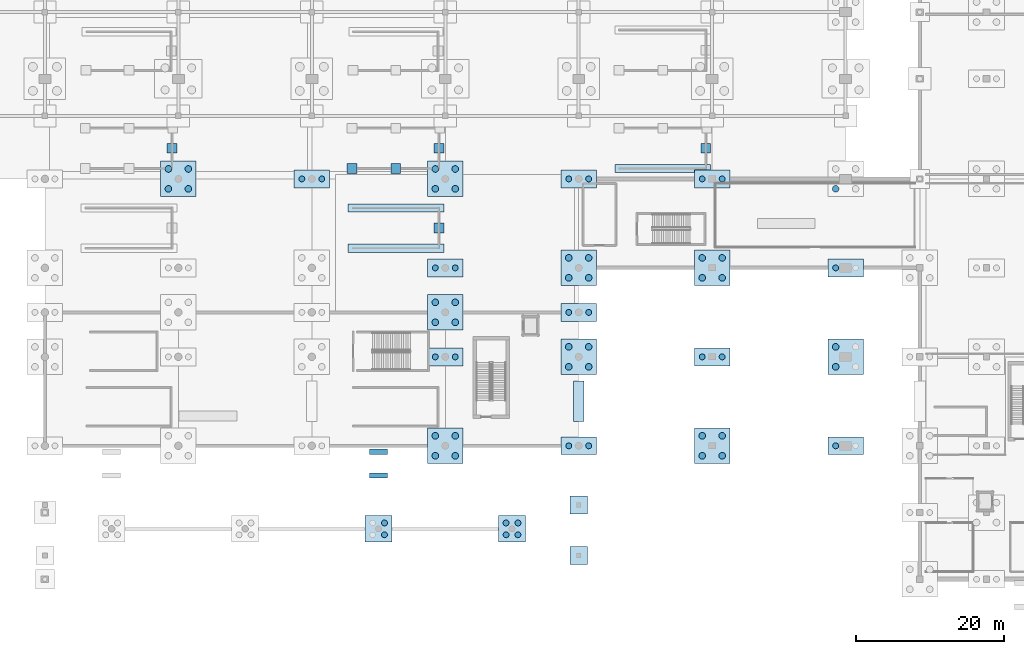
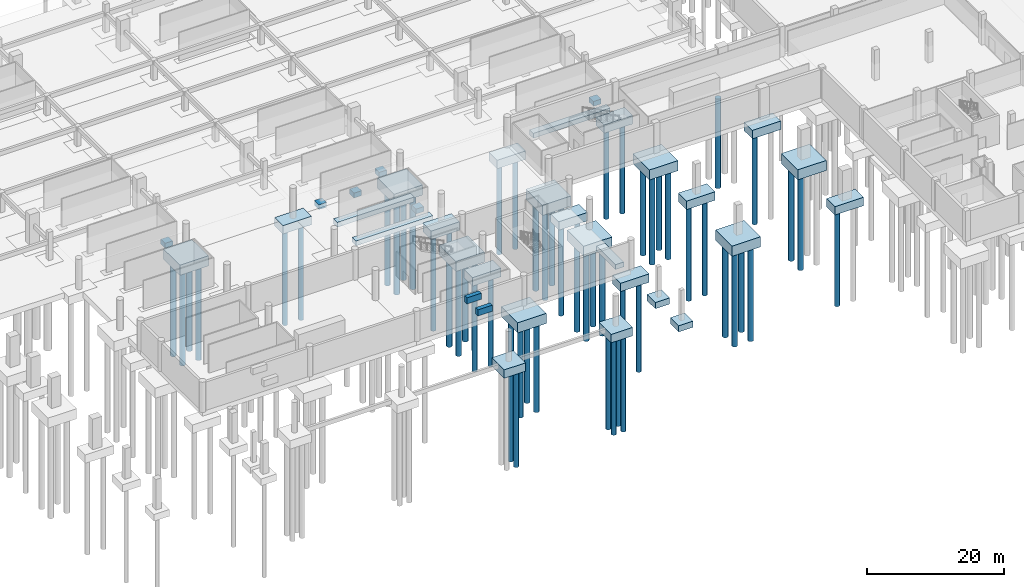
# One storey, part 2 of 26: 59 piles, 35 footings.
"""IFC4 building model written with IfcOpenShell, lengths in metres."""

from ifc_helpers import new_model, si_unit, direction, frame, origin, origin_2d, place, context, subcontext, project, spatial, polyline, circle, outline, extrude, material, material_profile, profile_set, type_object, element, save


model = new_model("IFC4")

# Units and contexts
model_context = context("Model", 3, precision=1e-05, world=origin(), true_north=direction((0.0, 1.0)))
body_context = subcontext(model_context, "Body", "Model", "MODEL_VIEW")
ifc_project = project(units=[si_unit("LENGTHUNIT", "METRE"), si_unit("AREAUNIT", "SQUARE_METRE"), si_unit("VOLUMEUNIT", "CUBIC_METRE"), si_unit("PLANEANGLEUNIT", "RADIAN"), si_unit("MASSUNIT", "GRAM", prefix="KILO")], contexts=[model_context])

# Site, building, storey
site_placement = place(None, origin())
site = spatial("IfcSite", under=ifc_project, at=site_placement, CompositionType="ELEMENT")
building_placement = place(site_placement, origin())
building = spatial("IfcBuilding", under=site, at=building_placement, Name="Chuanluo Vaults Station", CompositionType="ELEMENT")
storey_placement = place(building_placement, frame((0.0, 0.0, -5.39990234375)))
storey = spatial("IfcBuildingStorey", under=building, at=storey_placement, Name="B1", CompositionType="ELEMENT", Elevation=-5.39990234375)

# Footings
ifc_material_1 = material(Name="Concrete C40", Category="concrete")
footing_type_1 = type_object("IfcFootingType", Name="FTG-PAD-100", PredefinedType="PAD_FOOTING", material=ifc_material_1)
footing_1_placement = place(storey_placement, frame((0.0, 0.0, -0.85009765625)))
element("IfcFooting", 1, at=footing_1_placement, inside=storey, type_object=footing_type_1, Name="Stair shaft pad footing ST-07_F-2", PredefinedType="PAD_FOOTING", context=body_context, shape_type="SweptSolid", body=[
    extrude(outline(polyline([(34.5, 57.47509765625), (35.800048828125, 57.47509765625), (35.800048828125, 58.77490234375), (34.5, 58.77490234375), (34.5, 57.47509765625)])), origin(), (0.0, 0.0, 1.0), 0.85009765625),
])
footing_2_placement = place(storey_placement, frame((0.0, 0.0, -0.85009765625)))
element("IfcFooting", 2, at=footing_2_placement, inside=storey, type_object=footing_type_1, Name="Stair shaft pad footing ST-08_L-1", PredefinedType="PAD_FOOTING", context=body_context, shape_type="SweptSolid", body=[
    extrude(outline(polyline([(58.77490234375, 54.75), (60.074951171875, 54.75), (60.074951171875, 56.050048828125), (58.77490234375, 56.050048828125), (58.77490234375, 54.75)])), origin(), (0.0, 0.0, 1.0), 0.85009765625),
])
footing_3_placement = place(storey_placement, frame((0.0, 0.0, -0.85009765625)))
element("IfcFooting", 3, at=footing_3_placement, inside=storey, type_object=footing_type_1, Name="Stair shaft pad footing ST-08_L-2", PredefinedType="PAD_FOOTING", context=body_context, shape_type="SweptSolid", body=[
    extrude(outline(polyline([(64.6875, 54.75), (65.987548828125, 54.75), (65.987548828125, 56.050048828125), (64.6875, 56.050048828125), (64.6875, 54.75)])), origin(), (0.0, 0.0, 1.0), 0.85009765625),
])
footing_4_placement = place(storey_placement, frame((0.0, 0.0, -0.85009765625)))
element("IfcFooting", 4, at=footing_4_placement, inside=storey, type_object=footing_type_1, Name="Stair shaft pad footing ST-08_F-2", PredefinedType="PAD_FOOTING", context=body_context, shape_type="SweptSolid", body=[
    extrude(outline(polyline([(70.5, 57.47509765625), (71.800048828125, 57.47509765625), (71.800048828125, 58.77490234375), (70.5, 58.77490234375), (70.5, 57.47509765625)])), origin(), (0.0, 0.0, 1.0), 0.85009765625),
])
footing_5_placement = place(storey_placement, frame((0.0, 0.0, -0.85009765625)))
element("IfcFooting", 5, at=footing_5_placement, inside=storey, type_object=footing_type_1, Name="Stair shaft pad footing ST-09_F-2", PredefinedType="PAD_FOOTING", context=body_context, shape_type="SweptSolid", body=[
    extrude(outline(polyline([(106.5, 57.47509765625), (107.800048828125, 57.47509765625), (107.800048828125, 58.77490234375), (106.5, 58.77490234375), (106.5, 57.47509765625)])), origin(), (0.0, 0.0, 1.0), 0.85009765625),
])
footing_6_placement = place(storey_placement, frame((0.0, 0.0, -0.85009765625)))
element("IfcFooting", 6, at=footing_6_placement, inside=storey, type_object=footing_type_1, Name="Stair shaft pad footing ST-21_F-2", PredefinedType="PAD_FOOTING", context=body_context, shape_type="SweptSolid", body=[
    extrude(outline(polyline([(70.5, 46.72509765625), (71.800048828125, 46.72509765625), (71.800048828125, 48.02490234375), (70.5, 48.02490234375), (70.5, 46.72509765625)])), origin(), (0.0, 0.0, 1.0), 0.85009765625),
])
ifc_material_2 = material(Name="Concrete C40", Category="concrete")
footing_type_2 = type_object("IfcFootingType", Name="FTG-PC-11", PredefinedType="PAD_FOOTING", material=ifc_material_2)
footing_7_placement = place(storey_placement, frame((0.0, 0.0, -1.10009765625)))
element("IfcFooting", 7, at=footing_7_placement, inside=storey, type_object=footing_type_2, Name="Canopy end column footing 90-3", PredefinedType="PAD_FOOTING", context=body_context, shape_type="SweptSolid", body=[
    extrude(outline(polyline([(88.800048828125, 2.0), (91.199951171875, 2.0), (91.199951171875, 4.39990234375), (88.800048828125, 4.39990234375), (88.800048828125, 2.0)])), origin(), (0.0, 0.0, 1.0), 1.10009765625),
])
footing_8_placement = place(storey_placement, frame((0.0, 0.0, -1.10009765625)))
element("IfcFooting", 8, at=footing_8_placement, inside=storey, type_object=footing_type_2, Name="Canopy end column footing 90-10", PredefinedType="PAD_FOOTING", context=body_context, shape_type="SweptSolid", body=[
    extrude(outline(polyline([(88.800048828125, 8.800048828125), (91.199951171875, 8.800048828125), (91.199951171875, 11.199951171875), (88.800048828125, 11.199951171875), (88.800048828125, 8.800048828125)])), origin(), (0.0, 0.0, 1.0), 1.10009765625),
])
footing_9_placement = place(storey_placement, frame((0.0, 0.0, 4.119873046875)))
element("IfcFooting", 9, at=footing_9_placement, inside=storey, type_object=footing_type_2, Name="Accessible ramp foundation pad RM-A2-1", PredefinedType="PAD_FOOTING", context=body_context, shape_type="SweptSolid", body=[
    extrude(outline(polyline([(61.800048828125, 13.64990234375), (64.199951171875, 13.64990234375), (64.199951171875, 14.35009765625), (61.800048828125, 14.35009765625), (61.800048828125, 13.64990234375)])), origin(), (0.0, 0.0, 1.0), 1.10009765625),
])
footing_10_placement = place(storey_placement, frame((0.0, 0.0, 4.2998046875)))
element("IfcFooting", 10, at=footing_10_placement, inside=storey, type_object=footing_type_2, Name="Accessible ramp foundation pad RM-A2-2", PredefinedType="PAD_FOOTING", context=body_context, shape_type="SweptSolid", body=[
    extrude(outline(polyline([(61.800048828125, 16.85009765625), (64.199951171875, 16.85009765625), (64.199951171875, 17.550048828125), (61.800048828125, 17.550048828125), (61.800048828125, 16.85009765625)])), origin(), (0.0, 0.0, 1.0), 1.10009765625),
])
ifc_material_3 = material(Name="Concrete C40", Category="concrete")
footing_type_3 = type_object("IfcFootingType", Name="FTG-PC-2", PredefinedType="PILE_CAP", material=ifc_material_3)
footing_11_placement = place(storey_placement, frame((0.0, 0.0, -1.800048828125)))
element("IfcFooting", 11, at=footing_11_placement, inside=storey, type_object=footing_type_3, Name="Pile cap PC-030", PredefinedType="PILE_CAP", context=body_context, shape_type="SweptSolid", body=[
    extrude(outline(polyline([(33.60009765625, 51.60009765625), (38.39990234375, 51.60009765625), (38.39990234375, 56.39990234375), (33.60009765625, 56.39990234375), (33.60009765625, 51.60009765625)])), origin(), (0.0, 0.0, 1.0), 1.800048828125),
])
footing_12_placement = place(storey_placement, frame((0.0, 0.0, -2.800048828125)))
element("IfcFooting", 12, at=footing_12_placement, inside=storey, type_object=footing_type_3, Name="Pile cap PC-044", PredefinedType="PILE_CAP", context=body_context, shape_type="SweptSolid", body=[
    extrude(outline(polyline([(69.60009765625, 15.60009765625), (74.39990234375, 15.60009765625), (74.39990234375, 20.39990234375), (69.60009765625, 20.39990234375), (69.60009765625, 15.60009765625)])), origin(), (0.0, 0.0, 1.0), 1.800048828125),
])
footing_13_placement = place(storey_placement, frame((0.0, 0.0, -2.800048828125)))
element("IfcFooting", 13, at=footing_13_placement, inside=storey, type_object=footing_type_3, Name="Pile cap PC-046", PredefinedType="PILE_CAP", context=body_context, shape_type="SweptSolid", body=[
    extrude(outline(polyline([(69.60009765625, 33.60009765625), (74.39990234375, 33.60009765625), (74.39990234375, 38.39990234375), (69.60009765625, 38.39990234375), (69.60009765625, 33.60009765625)])), origin(), (0.0, 0.0, 1.0), 1.800048828125),
])
footing_14_placement = place(storey_placement, frame((0.0, 0.0, -1.800048828125)))
element("IfcFooting", 14, at=footing_14_placement, inside=storey, type_object=footing_type_3, Name="Pile cap PC-048", PredefinedType="PILE_CAP", context=body_context, shape_type="SweptSolid", body=[
    extrude(outline(polyline([(69.60009765625, 51.60009765625), (74.39990234375, 51.60009765625), (74.39990234375, 56.39990234375), (69.60009765625, 56.39990234375), (69.60009765625, 51.60009765625)])), origin(), (0.0, 0.0, 1.0), 1.800048828125),
])
footing_15_placement = place(storey_placement, frame((0.0, 0.0, -2.800048828125)))
element("IfcFooting", 15, at=footing_15_placement, inside=storey, type_object=footing_type_3, Name="Pile cap PC-054", PredefinedType="PILE_CAP", context=body_context, shape_type="SweptSolid", body=[
    extrude(outline(polyline([(87.60009765625, 27.60009765625), (92.39990234375, 27.60009765625), (92.39990234375, 32.39990234375), (87.60009765625, 32.39990234375), (87.60009765625, 27.60009765625)])), origin(), (0.0, 0.0, 1.0), 1.800048828125),
])
footing_16_placement = place(storey_placement, frame((0.0, 0.0, -2.800048828125)))
element("IfcFooting", 16, at=footing_16_placement, inside=storey, type_object=footing_type_3, Name="Pile cap PC-056", PredefinedType="PILE_CAP", context=body_context, shape_type="SweptSolid", body=[
    extrude(outline(polyline([(87.60009765625, 39.60009765625), (92.39990234375, 39.60009765625), (92.39990234375, 44.39990234375), (87.60009765625, 44.39990234375), (87.60009765625, 39.60009765625)])), origin(), (0.0, 0.0, 1.0), 1.800048828125),
])
footing_17_placement = place(storey_placement, frame((0.0, 0.0, -1.800048828125)))
element("IfcFooting", 17, at=footing_17_placement, inside=storey, type_object=footing_type_3, Name="Pile cap PC-062", PredefinedType="PILE_CAP", context=body_context, shape_type="SweptSolid", body=[
    extrude(outline(polyline([(105.60009765625, 15.60009765625), (110.39990234375, 15.60009765625), (110.39990234375, 20.39990234375), (105.60009765625, 20.39990234375), (105.60009765625, 15.60009765625)])), origin(), (0.0, 0.0, 1.0), 1.800048828125),
])
footing_18_placement = place(storey_placement, frame((0.0, 0.0, -2.800048828125)))
element("IfcFooting", 18, at=footing_18_placement, inside=storey, type_object=footing_type_3, Name="Pile cap PC-064", PredefinedType="PILE_CAP", context=body_context, shape_type="SweptSolid", body=[
    extrude(outline(polyline([(105.60009765625, 39.60009765625), (110.39990234375, 39.60009765625), (110.39990234375, 44.39990234375), (105.60009765625, 44.39990234375), (105.60009765625, 39.60009765625)])), origin(), (0.0, 0.0, 1.0), 1.800048828125),
])
footing_19_placement = place(storey_placement, frame((0.0, 0.0, -1.800048828125)))
element("IfcFooting", 19, at=footing_19_placement, inside=storey, type_object=footing_type_3, Name="Pile cap PC-074", PredefinedType="PILE_CAP", context=body_context, shape_type="SweptSolid", body=[
    extrude(outline(polyline([(123.60009765625, 27.60009765625), (128.39990234375, 27.60009765625), (128.39990234375, 32.39990234375), (123.60009765625, 32.39990234375), (123.60009765625, 27.60009765625)])), origin(), (0.0, 0.0, 1.0), 1.800048828125),
])
ifc_material_4 = material(Name="Concrete C40", Category="concrete")
footing_type_4 = type_object("IfcFootingType", Name="FTG-PC-4", PredefinedType="PILE_CAP", material=ifc_material_4)
footing_20_placement = place(storey_placement, frame((0.0, 0.0, -1.5)))
element("IfcFooting", 20, at=footing_20_placement, inside=storey, type_object=footing_type_4, Name="Canopy Y-pier pile cap 03", PredefinedType="PILE_CAP", context=body_context, shape_type="SweptSolid", body=[
    extrude(outline(polyline([(61.199951171875, 5.0), (64.800048828125, 5.0), (64.800048828125, 8.60009765625), (61.199951171875, 8.60009765625), (61.199951171875, 5.0)])), origin(), (0.0, 0.0, 1.0), 1.5),
])
footing_21_placement = place(storey_placement, frame((0.0, 0.0, -1.5)))
element("IfcFooting", 21, at=footing_21_placement, inside=storey, type_object=footing_type_4, Name="Canopy Y-pier pile cap 04", PredefinedType="PILE_CAP", context=body_context, shape_type="SweptSolid", body=[
    extrude(outline(polyline([(79.199951171875, 5.0), (82.800048828125, 5.0), (82.800048828125, 8.60009765625), (79.199951171875, 8.60009765625), (79.199951171875, 5.0)])), origin(), (0.0, 0.0, 1.0), 1.5),
])
ifc_material_5 = material(Name="Concrete C40", Category="concrete")
footing_type_5 = type_object("IfcFootingType", Name="FTG-PC-7", PredefinedType="PILE_CAP", material=ifc_material_5)
footing_22_placement = place(storey_placement, frame((0.0, 0.0, -1.5)))
element("IfcFooting", 22, at=footing_22_placement, inside=storey, type_object=footing_type_5, Name="Pile cap PC-039", PredefinedType="PILE_CAP", context=body_context, shape_type="SweptSolid", body=[
    extrude(outline(polyline([(51.60009765625, 52.800048828125), (56.39990234375, 52.800048828125), (56.39990234375, 55.199951171875), (51.60009765625, 55.199951171875), (51.60009765625, 52.800048828125)])), origin(), (0.0, 0.0, 1.0), 1.5),
])
footing_23_placement = place(storey_placement, frame((0.0, 0.0, -2.5)))
element("IfcFooting", 23, at=footing_23_placement, inside=storey, type_object=footing_type_5, Name="Pile cap PC-045", PredefinedType="PILE_CAP", context=body_context, shape_type="SweptSolid", body=[
    extrude(outline(polyline([(69.60009765625, 28.800048828125), (74.39990234375, 28.800048828125), (74.39990234375, 31.199951171875), (69.60009765625, 31.199951171875), (69.60009765625, 28.800048828125)])), origin(), (0.0, 0.0, 1.0), 1.5),
])
footing_24_placement = place(storey_placement, frame((0.0, 0.0, -1.5)))
element("IfcFooting", 24, at=footing_24_placement, inside=storey, type_object=footing_type_5, Name="Pile cap PC-047", PredefinedType="PILE_CAP", context=body_context, shape_type="SweptSolid", body=[
    extrude(outline(polyline([(69.60009765625, 40.800048828125), (74.39990234375, 40.800048828125), (74.39990234375, 43.199951171875), (69.60009765625, 43.199951171875), (69.60009765625, 40.800048828125)])), origin(), (0.0, 0.0, 1.0), 1.5),
])
footing_25_placement = place(storey_placement, frame((0.0, 0.0, -2.5)))
element("IfcFooting", 25, at=footing_25_placement, inside=storey, type_object=footing_type_5, Name="Pile cap PC-053", PredefinedType="PILE_CAP", context=body_context, shape_type="SweptSolid", body=[
    extrude(outline(polyline([(87.60009765625, 16.800048828125), (92.39990234375, 16.800048828125), (92.39990234375, 19.199951171875), (87.60009765625, 19.199951171875), (87.60009765625, 16.800048828125)])), origin(), (0.0, 0.0, 1.0), 1.5),
])
footing_26_placement = place(storey_placement, frame((0.0, 0.0, -2.5)))
element("IfcFooting", 26, at=footing_26_placement, inside=storey, type_object=footing_type_5, Name="Pile cap PC-055", PredefinedType="PILE_CAP", context=body_context, shape_type="SweptSolid", body=[
    extrude(outline(polyline([(87.60009765625, 34.800048828125), (92.39990234375, 34.800048828125), (92.39990234375, 37.199951171875), (87.60009765625, 37.199951171875), (87.60009765625, 34.800048828125)])), origin(), (0.0, 0.0, 1.0), 1.5),
])
footing_27_placement = place(storey_placement, frame((0.0, 0.0, -2.5)))
element("IfcFooting", 27, at=footing_27_placement, inside=storey, type_object=footing_type_5, Name="Pile cap PC-057", PredefinedType="PILE_CAP", context=body_context, shape_type="SweptSolid", body=[
    extrude(outline(polyline([(87.60009765625, 52.800048828125), (92.39990234375, 52.800048828125), (92.39990234375, 55.199951171875), (87.60009765625, 55.199951171875), (87.60009765625, 52.800048828125)])), origin(), (0.0, 0.0, 1.0), 1.5),
])
footing_28_placement = place(storey_placement, frame((0.0, 0.0, -1.5)))
element("IfcFooting", 28, at=footing_28_placement, inside=storey, type_object=footing_type_5, Name="Pile cap PC-063", PredefinedType="PILE_CAP", context=body_context, shape_type="SweptSolid", body=[
    extrude(outline(polyline([(105.60009765625, 28.800048828125), (110.39990234375, 28.800048828125), (110.39990234375, 31.199951171875), (105.60009765625, 31.199951171875), (105.60009765625, 28.800048828125)])), origin(), (0.0, 0.0, 1.0), 1.5),
])
footing_29_placement = place(storey_placement, frame((0.0, 0.0, -2.5)))
element("IfcFooting", 29, at=footing_29_placement, inside=storey, type_object=footing_type_5, Name="Pile cap PC-065", PredefinedType="PILE_CAP", context=body_context, shape_type="SweptSolid", body=[
    extrude(outline(polyline([(105.60009765625, 52.800048828125), (110.39990234375, 52.800048828125), (110.39990234375, 55.199951171875), (105.60009765625, 55.199951171875), (105.60009765625, 52.800048828125)])), origin(), (0.0, 0.0, 1.0), 1.5),
])
footing_30_placement = place(storey_placement, frame((0.0, 0.0, -1.5)))
element("IfcFooting", 30, at=footing_30_placement, inside=storey, type_object=footing_type_5, Name="Pile cap PC-073", PredefinedType="PILE_CAP", context=body_context, shape_type="SweptSolid", body=[
    extrude(outline(polyline([(123.60009765625, 16.800048828125), (128.39990234375, 16.800048828125), (128.39990234375, 19.199951171875), (123.60009765625, 19.199951171875), (123.60009765625, 16.800048828125)])), origin(), (0.0, 0.0, 1.0), 1.5),
])
footing_31_placement = place(storey_placement, frame((0.0, 0.0, -2.5)))
element("IfcFooting", 31, at=footing_31_placement, inside=storey, type_object=footing_type_5, Name="Pile cap PC-075", PredefinedType="PILE_CAP", context=body_context, shape_type="SweptSolid", body=[
    extrude(outline(polyline([(123.60009765625, 40.800048828125), (128.39990234375, 40.800048828125), (128.39990234375, 43.199951171875), (123.60009765625, 43.199951171875), (123.60009765625, 40.800048828125)])), origin(), (0.0, 0.0, 1.0), 1.5),
])
ifc_material_6 = material(Name="Concrete C40", Category="concrete")
footing_type_6 = type_object("IfcFootingType", Name="FTG-SF-3", PredefinedType="STRIP_FOOTING", material=ifc_material_6)
footing_32_placement = place(storey_placement, frame((0.0, 0.0, -1.85009765625)))
element("IfcFooting", 32, at=footing_32_placement, inside=storey, type_object=footing_type_6, Name="Perimeter wall strip footing SF-05", PredefinedType="STRIP_FOOTING", context=body_context, shape_type="SweptSolid", body=[
    extrude(outline(polyline([(89.300048828125, 21.25), (90.699951171875, 21.25), (90.699951171875, 26.75), (89.300048828125, 26.75), (89.300048828125, 21.25)])), origin(), (0.0, 0.0, 1.0), 0.85009765625),
])
footing_33_placement = place(storey_placement, frame((0.0, 0.0, -0.85009765625)))
element("IfcFooting", 33, at=footing_33_placement, inside=storey, type_object=footing_type_6, Name="Stair shaft strip footing ST-09_L", PredefinedType="STRIP_FOOTING", context=body_context, shape_type="SweptSolid", body=[
    extrude(outline(polyline([(94.875, 54.85009765625), (107.800048828125, 54.85009765625), (107.800048828125, 55.949951171875), (94.875, 55.949951171875), (94.875, 54.85009765625)])), origin(), (0.0, 0.0, 1.0), 0.85009765625),
])
footing_34_placement = place(storey_placement, frame((0.0, 0.0, -0.85009765625)))
element("IfcFooting", 34, at=footing_34_placement, inside=storey, type_object=footing_type_6, Name="Stair shaft strip footing ST-21_L", PredefinedType="STRIP_FOOTING", context=body_context, shape_type="SweptSolid", body=[
    extrude(outline(polyline([(58.875, 44.10009765625), (71.800048828125, 44.10009765625), (71.800048828125, 45.199951171875), (58.875, 45.199951171875), (58.875, 44.10009765625)])), origin(), (0.0, 0.0, 1.0), 0.85009765625),
])
footing_35_placement = place(storey_placement, frame((0.0, 0.0, -0.85009765625)))
element("IfcFooting", 35, at=footing_35_placement, inside=storey, type_object=footing_type_6, Name="Stair shaft strip footing ST-21_R", PredefinedType="STRIP_FOOTING", context=body_context, shape_type="SweptSolid", body=[
    extrude(outline(polyline([(58.875, 49.550048828125), (71.800048828125, 49.550048828125), (71.800048828125, 50.64990234375), (58.875, 50.64990234375), (58.875, 49.550048828125)])), origin(), (0.0, 0.0, 1.0), 0.85009765625),
])

# Piles
ifc_material_7 = material(Name="Concrete C40", Category="concrete")
ifc_material_profile_1 = material_profile(ifc_material_7, circle(Radius=0.39990234375, at=origin_2d()))
ifc_profile_set_1 = profile_set([ifc_material_profile_1], Name="Concrete C40")
pile_type_1 = type_object("IfcPileType", Name="PIL-800", PredefinedType="BORED", material=ifc_profile_set_1)
for number, where, z_axis, x_axis, name in (
    (36, (52.656005859375, 54.0, -1.380126953125), (0.0, 0.0, -1.0), (1.0, 0.0, 0.0), "Rock-socketed bored pile 099"),
    (37, (55.343994140625, 54.0, -1.380126953125), (0.0, 0.0, -1.0), (1.0, 0.0, 0.0), "Rock-socketed bored pile 100"),
):
    element("IfcPile", number, at=place(storey_placement, frame(where, z_axis=z_axis, x_axis=x_axis)), inside=storey, type_object=pile_type_1, Name=name, PredefinedType="BORED", context=body_context, shape_type="SweptSolid", body=[
        extrude(circle(Radius=0.39990234375, at=origin_2d()), origin(), (0.0, 0.0, 1.0), 17.219970703125),
    ])
for number, where, z_axis, x_axis, name in (
    (38, (70.656005859375, 30.0, -2.380126953125), (0.0, 0.0, -1.0), (1.0, 0.0, 0.0), "Rock-socketed bored pile 115"),
    (39, (73.343994140625, 30.0, -2.380126953125), (0.0, 0.0, -1.0), (1.0, 0.0, 0.0), "Rock-socketed bored pile 116"),
):
    element("IfcPile", number, at=place(storey_placement, frame(where, z_axis=z_axis, x_axis=x_axis)), inside=storey, type_object=pile_type_1, Name=name, PredefinedType="BORED", context=body_context, shape_type="SweptSolid", body=[
        extrude(circle(Radius=0.39990234375, at=origin_2d()), origin(), (0.0, 0.0, 1.0), 16.219970703125),
    ])
for number, where, z_axis, x_axis, name in (
    (40, (70.656005859375, 42.0, -1.380126953125), (0.0, 0.0, -1.0), (1.0, 0.0, 0.0), "Rock-socketed bored pile 121"),
    (41, (73.343994140625, 42.0, -1.380126953125), (0.0, 0.0, -1.0), (1.0, 0.0, 0.0), "Rock-socketed bored pile 122"),
):
    element("IfcPile", number, at=place(storey_placement, frame(where, z_axis=z_axis, x_axis=x_axis)), inside=storey, type_object=pile_type_1, Name=name, PredefinedType="BORED", context=body_context, shape_type="SweptSolid", body=[
        extrude(circle(Radius=0.39990234375, at=origin_2d()), origin(), (0.0, 0.0, 1.0), 17.219970703125),
    ])
for number, where, z_axis, x_axis, name in (
    (42, (88.656005859375, 18.0, -2.380126953125), (0.0, 0.0, -1.0), (1.0, 0.0, 0.0), "Rock-socketed bored pile 137"),
    (43, (91.343994140625, 18.0, -2.380126953125), (0.0, 0.0, -1.0), (1.0, 0.0, 0.0), "Rock-socketed bored pile 138"),
    (44, (88.656005859375, 36.0, -2.380126953125), (0.0, 0.0, -1.0), (1.0, 0.0, 0.0), "Rock-socketed bored pile 143"),
    (45, (91.343994140625, 36.0, -2.380126953125), (0.0, 0.0, -1.0), (1.0, 0.0, 0.0), "Rock-socketed bored pile 144"),
    (46, (88.656005859375, 54.0, -2.380126953125), (0.0, 0.0, -1.0), (1.0, 0.0, 0.0), "Rock-socketed bored pile 149"),
    (47, (91.343994140625, 54.0, -2.380126953125), (0.0, 0.0, -1.0), (1.0, 0.0, 0.0), "Rock-socketed bored pile 150"),
):
    element("IfcPile", number, at=place(storey_placement, frame(where, z_axis=z_axis, x_axis=x_axis)), inside=storey, type_object=pile_type_1, Name=name, PredefinedType="BORED", context=body_context, shape_type="SweptSolid", body=[
        extrude(circle(Radius=0.39990234375, at=origin_2d()), origin(), (0.0, 0.0, 1.0), 16.219970703125),
    ])
for number, where, z_axis, x_axis, name in (
    (48, (106.656005859375, 30.0, -1.380126953125), (0.0, 0.0, -1.0), (1.0, 0.0, 0.0), "Rock-socketed bored pile 165"),
    (49, (109.343994140625, 30.0, -1.380126953125), (0.0, 0.0, -1.0), (1.0, 0.0, 0.0), "Rock-socketed bored pile 166"),
):
    element("IfcPile", number, at=place(storey_placement, frame(where, z_axis=z_axis, x_axis=x_axis)), inside=storey, type_object=pile_type_1, Name=name, PredefinedType="BORED", context=body_context, shape_type="SweptSolid", body=[
        extrude(circle(Radius=0.39990234375, at=origin_2d()), origin(), (0.0, 0.0, 1.0), 17.219970703125),
    ])
for number, where, z_axis, x_axis, name in (
    (50, (106.656005859375, 54.0, -2.380126953125), (0.0, 0.0, -1.0), (1.0, 0.0, 0.0), "Rock-socketed bored pile 171"),
    (51, (109.343994140625, 54.0, -2.380126953125), (0.0, 0.0, -1.0), (1.0, 0.0, 0.0), "Rock-socketed bored pile 172"),
):
    element("IfcPile", number, at=place(storey_placement, frame(where, z_axis=z_axis, x_axis=x_axis)), inside=storey, type_object=pile_type_1, Name=name, PredefinedType="BORED", context=body_context, shape_type="SweptSolid", body=[
        extrude(circle(Radius=0.39990234375, at=origin_2d()), origin(), (0.0, 0.0, 1.0), 16.219970703125),
    ])
pile_1_placement = place(storey_placement, frame((124.656005859375, 18.0, -1.380126953125), z_axis=(0.0, 0.0, -1.0), x_axis=(1.0, 0.0, 0.0)))
element("IfcPile", 52, at=pile_1_placement, inside=storey, type_object=pile_type_1, Name="Rock-socketed bored pile 193", PredefinedType="BORED", context=body_context, shape_type="SweptSolid", body=[
    extrude(circle(Radius=0.39990234375, at=origin_2d()), origin(), (0.0, 0.0, 1.0), 17.219970703125),
])
pile_2_placement = place(storey_placement, frame((124.656005859375, 42.0, -2.380126953125), z_axis=(0.0, 0.0, -1.0), x_axis=(1.0, 0.0, 0.0)))
element("IfcPile", 53, at=pile_2_placement, inside=storey, type_object=pile_type_1, Name="Rock-socketed bored pile 199", PredefinedType="BORED", context=body_context, shape_type="SweptSolid", body=[
    extrude(circle(Radius=0.39990234375, at=origin_2d()), origin(), (0.0, 0.0, 1.0), 16.219970703125),
])
for number, where, z_axis, x_axis, name in (
    (54, (63.800048828125, 6.0, -1.380126953125), (0.0, 0.0, -1.0), (1.0, 0.0, 0.0), "Canopy Y-pier bored pile 3.2"),
    (55, (63.800048828125, 7.60009765625, -1.380126953125), (0.0, 0.0, -1.0), (1.0, 0.0, 0.0), "Canopy Y-pier bored pile 3.4"),
    (56, (80.199951171875, 6.0, -1.380126953125), (0.0, 0.0, -1.0), (1.0, 0.0, 0.0), "Canopy Y-pier bored pile 4.1"),
    (57, (81.800048828125, 6.0, -1.380126953125), (0.0, 0.0, -1.0), (1.0, 0.0, 0.0), "Canopy Y-pier bored pile 4.2"),
    (58, (80.199951171875, 7.60009765625, -1.380126953125), (0.0, 0.0, -1.0), (1.0, 0.0, 0.0), "Canopy Y-pier bored pile 4.3"),
    (59, (81.800048828125, 7.60009765625, -1.380126953125), (0.0, 0.0, -1.0), (1.0, 0.0, 0.0), "Canopy Y-pier bored pile 4.4"),
):
    element("IfcPile", number, at=place(storey_placement, frame(where, z_axis=z_axis, x_axis=x_axis)), inside=storey, type_object=pile_type_1, Name=name, PredefinedType="BORED", context=body_context, shape_type="SweptSolid", body=[
        extrude(circle(Radius=0.39990234375, at=origin_2d()), origin(), (0.0, 0.0, 1.0), 17.219970703125),
    ])
ifc_material_8 = material(Name="Concrete C40", Category="concrete")
ifc_material_profile_2 = material_profile(ifc_material_8, circle(Radius=0.449951171875, at=origin_2d()))
ifc_profile_set_2 = profile_set([ifc_material_profile_2], Name="Concrete C40")
pile_type_2 = type_object("IfcPileType", Name="PIL-900", PredefinedType="BORED", material=ifc_profile_set_2)
for number, where, z_axis, x_axis, name in (
    (60, (34.656005859375, 52.656005859375, -1.68017578125), (0.0, 0.0, -1.0), (1.0, 0.0, 0.0), "Rock-socketed bored pile 073"),
    (61, (37.343994140625, 52.656005859375, -1.68017578125), (0.0, 0.0, -1.0), (1.0, 0.0, 0.0), "Rock-socketed bored pile 074"),
    (62, (34.656005859375, 55.343994140625, -1.68017578125), (0.0, 0.0, -1.0), (1.0, 0.0, 0.0), "Rock-socketed bored pile 075"),
    (63, (37.343994140625, 55.343994140625, -1.68017578125), (0.0, 0.0, -1.0), (1.0, 0.0, 0.0), "Rock-socketed bored pile 076"),
):
    element("IfcPile", number, at=place(storey_placement, frame(where, z_axis=z_axis, x_axis=x_axis)), inside=storey, type_object=pile_type_2, Name=name, PredefinedType="BORED", context=body_context, shape_type="SweptSolid", body=[
        extrude(circle(Radius=0.449951171875, at=origin_2d()), origin(), (0.0, 0.0, 1.0), 16.919921875),
    ])
for number, where, z_axis, x_axis, name in (
    (64, (70.656005859375, 16.656005859375, -2.68017578125), (0.0, 0.0, -1.0), (1.0, 0.0, 0.0), "Rock-socketed bored pile 111"),
    (65, (73.343994140625, 16.656005859375, -2.68017578125), (0.0, 0.0, -1.0), (1.0, 0.0, 0.0), "Rock-socketed bored pile 112"),
    (66, (70.656005859375, 19.343994140625, -2.68017578125), (0.0, 0.0, -1.0), (1.0, 0.0, 0.0), "Rock-socketed bored pile 113"),
    (67, (73.343994140625, 19.343994140625, -2.68017578125), (0.0, 0.0, -1.0), (1.0, 0.0, 0.0), "Rock-socketed bored pile 114"),
    (68, (70.656005859375, 34.656005859375, -2.68017578125), (0.0, 0.0, -1.0), (1.0, 0.0, 0.0), "Rock-socketed bored pile 117"),
    (69, (73.343994140625, 34.656005859375, -2.68017578125), (0.0, 0.0, -1.0), (1.0, 0.0, 0.0), "Rock-socketed bored pile 118"),
    (70, (70.656005859375, 37.343994140625, -2.68017578125), (0.0, 0.0, -1.0), (1.0, 0.0, 0.0), "Rock-socketed bored pile 119"),
    (71, (73.343994140625, 37.343994140625, -2.68017578125), (0.0, 0.0, -1.0), (1.0, 0.0, 0.0), "Rock-socketed bored pile 120"),
):
    element("IfcPile", number, at=place(storey_placement, frame(where, z_axis=z_axis, x_axis=x_axis)), inside=storey, type_object=pile_type_2, Name=name, PredefinedType="BORED", context=body_context, shape_type="SweptSolid", body=[
        extrude(circle(Radius=0.449951171875, at=origin_2d()), origin(), (0.0, 0.0, 1.0), 15.919921875),
    ])
for number, where, z_axis, x_axis, name in (
    (72, (70.656005859375, 52.656005859375, -1.68017578125), (0.0, 0.0, -1.0), (1.0, 0.0, 0.0), "Rock-socketed bored pile 123"),
    (73, (73.343994140625, 52.656005859375, -1.68017578125), (0.0, 0.0, -1.0), (1.0, 0.0, 0.0), "Rock-socketed bored pile 124"),
    (74, (70.656005859375, 55.343994140625, -1.68017578125), (0.0, 0.0, -1.0), (1.0, 0.0, 0.0), "Rock-socketed bored pile 125"),
    (75, (73.343994140625, 55.343994140625, -1.68017578125), (0.0, 0.0, -1.0), (1.0, 0.0, 0.0), "Rock-socketed bored pile 126"),
):
    element("IfcPile", number, at=place(storey_placement, frame(where, z_axis=z_axis, x_axis=x_axis)), inside=storey, type_object=pile_type_2, Name=name, PredefinedType="BORED", context=body_context, shape_type="SweptSolid", body=[
        extrude(circle(Radius=0.449951171875, at=origin_2d()), origin(), (0.0, 0.0, 1.0), 16.919921875),
    ])
for number, where, z_axis, x_axis, name in (
    (76, (88.656005859375, 28.656005859375, -2.68017578125), (0.0, 0.0, -1.0), (1.0, 0.0, 0.0), "Rock-socketed bored pile 139"),
    (77, (91.343994140625, 28.656005859375, -2.68017578125), (0.0, 0.0, -1.0), (1.0, 0.0, 0.0), "Rock-socketed bored pile 140"),
    (78, (88.656005859375, 31.343994140625, -2.68017578125), (0.0, 0.0, -1.0), (1.0, 0.0, 0.0), "Rock-socketed bored pile 141"),
    (79, (91.343994140625, 31.343994140625, -2.68017578125), (0.0, 0.0, -1.0), (1.0, 0.0, 0.0), "Rock-socketed bored pile 142"),
    (80, (88.656005859375, 40.656005859375, -2.68017578125), (0.0, 0.0, -1.0), (1.0, 0.0, 0.0), "Rock-socketed bored pile 145"),
    (81, (91.343994140625, 40.656005859375, -2.68017578125), (0.0, 0.0, -1.0), (1.0, 0.0, 0.0), "Rock-socketed bored pile 146"),
    (82, (88.656005859375, 43.343994140625, -2.68017578125), (0.0, 0.0, -1.0), (1.0, 0.0, 0.0), "Rock-socketed bored pile 147"),
    (83, (91.343994140625, 43.343994140625, -2.68017578125), (0.0, 0.0, -1.0), (1.0, 0.0, 0.0), "Rock-socketed bored pile 148"),
):
    element("IfcPile", number, at=place(storey_placement, frame(where, z_axis=z_axis, x_axis=x_axis)), inside=storey, type_object=pile_type_2, Name=name, PredefinedType="BORED", context=body_context, shape_type="SweptSolid", body=[
        extrude(circle(Radius=0.449951171875, at=origin_2d()), origin(), (0.0, 0.0, 1.0), 15.919921875),
    ])
for number, where, z_axis, x_axis, name in (
    (84, (106.656005859375, 16.656005859375, -1.68017578125), (0.0, 0.0, -1.0), (1.0, 0.0, 0.0), "Rock-socketed bored pile 161"),
    (85, (109.343994140625, 16.656005859375, -1.68017578125), (0.0, 0.0, -1.0), (1.0, 0.0, 0.0), "Rock-socketed bored pile 162"),
    (86, (106.656005859375, 19.343994140625, -1.68017578125), (0.0, 0.0, -1.0), (1.0, 0.0, 0.0), "Rock-socketed bored pile 163"),
    (87, (109.343994140625, 19.343994140625, -1.68017578125), (0.0, 0.0, -1.0), (1.0, 0.0, 0.0), "Rock-socketed bored pile 164"),
):
    element("IfcPile", number, at=place(storey_placement, frame(where, z_axis=z_axis, x_axis=x_axis)), inside=storey, type_object=pile_type_2, Name=name, PredefinedType="BORED", context=body_context, shape_type="SweptSolid", body=[
        extrude(circle(Radius=0.449951171875, at=origin_2d()), origin(), (0.0, 0.0, 1.0), 16.919921875),
    ])
for number, where, z_axis, x_axis, name in (
    (88, (106.656005859375, 40.656005859375, -2.68017578125), (0.0, 0.0, -1.0), (1.0, 0.0, 0.0), "Rock-socketed bored pile 167"),
    (89, (109.343994140625, 40.656005859375, -2.68017578125), (0.0, 0.0, -1.0), (1.0, 0.0, 0.0), "Rock-socketed bored pile 168"),
    (90, (106.656005859375, 43.343994140625, -2.68017578125), (0.0, 0.0, -1.0), (1.0, 0.0, 0.0), "Rock-socketed bored pile 169"),
    (91, (109.343994140625, 43.343994140625, -2.68017578125), (0.0, 0.0, -1.0), (1.0, 0.0, 0.0), "Rock-socketed bored pile 170"),
):
    element("IfcPile", number, at=place(storey_placement, frame(where, z_axis=z_axis, x_axis=x_axis)), inside=storey, type_object=pile_type_2, Name=name, PredefinedType="BORED", context=body_context, shape_type="SweptSolid", body=[
        extrude(circle(Radius=0.449951171875, at=origin_2d()), origin(), (0.0, 0.0, 1.0), 15.919921875),
    ])
for number, where, z_axis, x_axis, name in (
    (92, (124.656005859375, 28.656005859375, -1.68017578125), (0.0, 0.0, -1.0), (1.0, 0.0, 0.0), "Rock-socketed bored pile 195"),
    (93, (124.656005859375, 31.343994140625, -1.68017578125), (0.0, 0.0, -1.0), (1.0, 0.0, 0.0), "Rock-socketed bored pile 197"),
):
    element("IfcPile", number, at=place(storey_placement, frame(where, z_axis=z_axis, x_axis=x_axis)), inside=storey, type_object=pile_type_2, Name=name, PredefinedType="BORED", context=body_context, shape_type="SweptSolid", body=[
        extrude(circle(Radius=0.449951171875, at=origin_2d()), origin(), (0.0, 0.0, 1.0), 16.919921875),
    ])
pile_3_placement = place(storey_placement, frame((124.656005859375, 52.656005859375, -2.68017578125), z_axis=(0.0, 0.0, -1.0), x_axis=(1.0, 0.0, 0.0)))
element("IfcPile", 94, at=pile_3_placement, inside=storey, type_object=pile_type_2, Name="Rock-socketed bored pile 201", PredefinedType="BORED", context=body_context, shape_type="SweptSolid", body=[
    extrude(circle(Radius=0.449951171875, at=origin_2d()), origin(), (0.0, 0.0, 1.0), 15.919921875),
])

save(model, "model.ifc")
